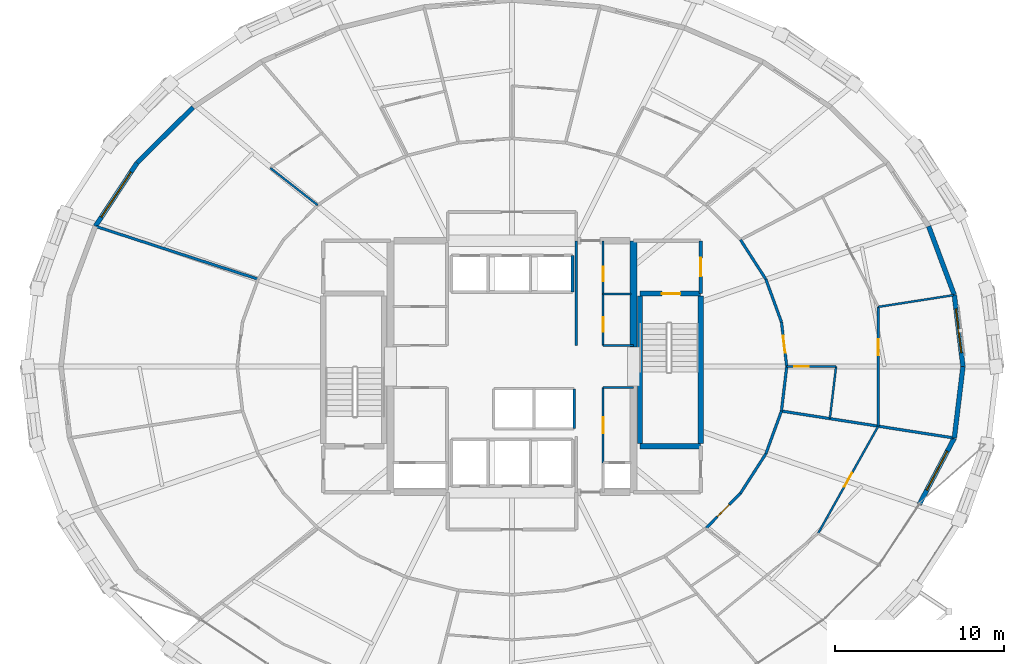
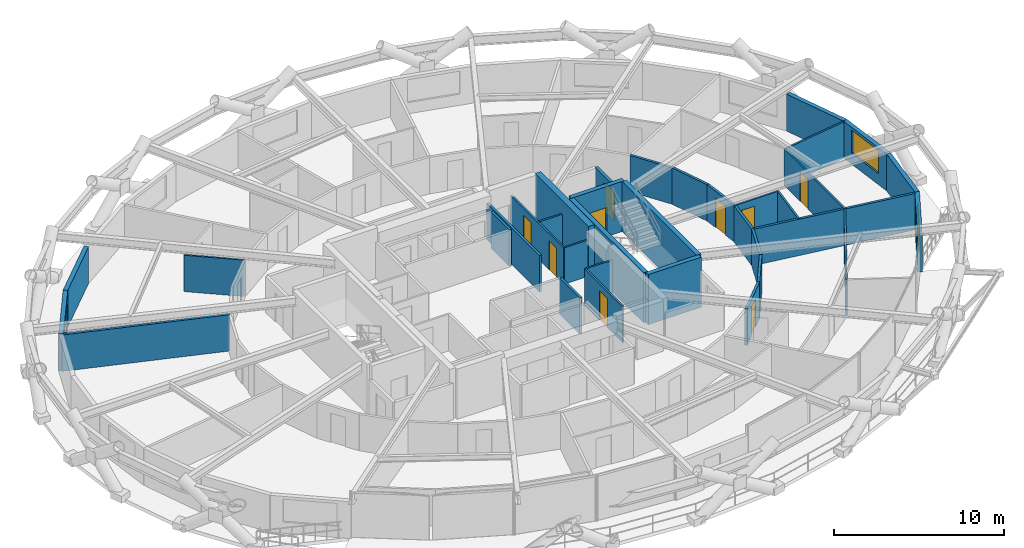
# One storey, part 17 of 21: 35 walls, 10 doors, 3 windows, 13 openings.
"""IFC4 building model written with IfcOpenShell, lengths in metres."""

from ifc_helpers import new_model, si_unit, direction, frame, frame_2d, origin, place, context, subcontext, project, spatial, rectangle, extrude, material, layer, layer_set, type_object, element, fill, save


model = new_model("IFC4")

# Units and contexts
model_context = context("Model", 3, precision=1e-05, world=origin(), true_north=direction((0.0, 1.0)))
body_context = subcontext(model_context, "Body", "Model", "MODEL_VIEW")
ifc_project = project(units=[si_unit("LENGTHUNIT", "METRE"), si_unit("AREAUNIT", "SQUARE_METRE"), si_unit("VOLUMEUNIT", "CUBIC_METRE"), si_unit("PLANEANGLEUNIT", "RADIAN"), si_unit("MASSUNIT", "GRAM", prefix="KILO")], contexts=[model_context])

# Site, building, storey
site_placement = place(None, origin())
site = spatial("IfcSite", under=ifc_project, at=site_placement, CompositionType="ELEMENT")
building_placement = place(site_placement, origin())
building = spatial("IfcBuilding", under=site, at=building_placement, Name="Veldorina Hangang Commons", CompositionType="ELEMENT")
storey_placement = place(building_placement, frame((0.0, 0.0, 59.199951171875)))
storey = spatial("IfcBuildingStorey", under=building, at=storey_placement, Name="L14", CompositionType="ELEMENT", Elevation=59.199951171875)

# Wall
ifc_material_1 = material(Name="Concrete C70/85", Category="concrete")
ifc_layer_1 = layer(ifc_material_1, 0.39990234375)
ifc_layer_set_1 = layer_set([ifc_layer_1], Name="Concrete C70/85")
wall_type_1 = type_object("IfcWallType", Name="CW-RC400-C70", PredefinedType="SHEAR", material=ifc_layer_set_1)
wall_1_placement = place(storey_placement, frame((39.199951171875, 25.14990234375, 0.0), z_axis=(0.0, 0.0, 1.0), x_axis=(0.0, 1.0, 0.0)))
element("IfcWall", 1, at=wall_1_placement, inside=storey, type_object=wall_type_1, Name="L14 E north core shear wall", PredefinedType="SHEAR", context=body_context, shape_type="SweptSolid", body=[
    extrude(rectangle(XDim=6.300048828125, YDim=0.39990234375, at=frame_2d((3.14990234375, 0.0))), origin(), (0.0, 0.0, 1.0), 3.60009765625),
])

# Wall, opening, window
ifc_material_2 = material(Name="Stone Roman Travertine", Category="masonry")
ifc_layer_2 = layer(ifc_material_2, 0.280029296875)
ifc_layer_set_2 = layer_set([ifc_layer_2], Name="Stone Roman Travertine")
wall_type_2 = type_object("IfcWallType", Name="EW-TRAV-280", PredefinedType="STANDARD", material=ifc_layer_set_2)
wall_2_placement = place(storey_placement, frame((58.712646484375, 24.0, 0.0), z_axis=(0.0, 0.0, 1.0), x_axis=(-0.120273268537, 0.992740822609, 0.0)))
wall_2 = element("IfcWall", 2, at=wall_2_placement, inside=storey, type_object=wall_type_2, Name="L14 travertine facade wall 00", PredefinedType="STANDARD", context=body_context, shape_type="SweptSolid", body=[
    extrude(rectangle(XDim=4.266845703125, YDim=0.280029296875, at=frame_2d((2.13330078125, 0.0))), origin(), (0.0, 0.0, 1.0), 2.650146484375),
])
opening_1_placement = place(wall_2_placement, frame((0.83349609375, 0.0, 0.800048828125)))
opening_1 = element("IfcOpeningElement", 3, at=opening_1_placement, cuts=wall_2, Name="Opening W-02", PredefinedType="OPENING", context=body_context, shape_type="SweptSolid", body=[
    extrude(rectangle(XDim=2.60009765625, YDim=1.64990234375, at=frame_2d((1.300048828125, 0.824951171875))), frame((0.0, 0.14990234375, 0.0), z_axis=(0.0, -1.0, 0.0), x_axis=(1.0, 0.0, 0.0)), (0.0, 0.0, 1.0), 0.300048828125),
])
ifc_material_3 = material(Name="Glass Low-E Triple IGU", Category="glass")
window_type_1 = type_object("IfcWindowType", Name="WIN-TWR-2600", PartitioningType="SINGLE_PANEL", PredefinedType="WINDOW", material=ifc_material_3)
window_1_placement = place(opening_1_placement, origin())
window_1 = element("IfcWindow", 4, at=window_1_placement, inside=storey, type_object=window_type_1, Name="L14 facade window 00", OverallHeight=1.64990234375, OverallWidth=2.60009765625, PartitioningType="SINGLE_PANEL", PredefinedType="WINDOW", context=body_context, shape_type="SweptSolid", body=[
    extrude(rectangle(XDim=2.60009765625, YDim=1.64990234375, at=frame_2d((1.300048828125, 0.824951171875))), frame((0.0, 0.030029296875, 0.0), z_axis=(0.0, -1.0, 0.0), x_axis=(1.0, 0.0, 0.0)), (0.0, 0.0, 1.0), 0.06005859375),
])
fill(opening_1, window_1)

# Walls
wall_3_placement = place(storey_placement, frame((58.199462890625, 28.23583984375, 0.0), z_axis=(0.0, 0.0, 1.0), x_axis=(-0.349670708584, 0.93687266774, 0.0)))
element("IfcWall", 5, at=wall_3_placement, inside=storey, type_object=wall_type_2, Name="L14 travertine facade wall 01", PredefinedType="STANDARD", context=body_context, shape_type="SweptSolid", body=[
    extrude(rectangle(XDim=4.34765625, YDim=0.280029296875, at=frame_2d((2.173828125, 0.0))), origin(), (0.0, 0.0, 1.0), 2.650146484375),
])
wall_4_placement = place(storey_placement, frame((13.111328125, 39.353271484375, 0.0), z_axis=(0.0, 0.0, 1.0), x_axis=(-0.710492625766, -0.70370464595, 0.0)))
element("IfcWall", 6, at=wall_4_placement, inside=storey, type_object=wall_type_2, Name="L14 travertine facade wall 12", PredefinedType="STANDARD", context=body_context, shape_type="SweptSolid", body=[
    extrude(rectangle(XDim=4.67578125, YDim=0.280029296875, at=frame_2d((2.337890625, 0.0))), origin(), (0.0, 0.0, 1.0), 2.650146484375),
])

# Wall, opening, window
wall_5_placement = place(storey_placement, frame((9.789306640625, 36.06298828125, 0.0), z_axis=(0.0, 0.0, 1.0), x_axis=(-0.549434846356, -0.835536563898, 0.0)))
wall_5 = element("IfcWall", 7, at=wall_5_placement, inside=storey, type_object=wall_type_2, Name="L14 travertine facade wall 13", PredefinedType="STANDARD", context=body_context, shape_type="SweptSolid", body=[
    extrude(rectangle(XDim=4.492919921875, YDim=0.280029296875, at=frame_2d((2.24658203125, 0.0))), origin(), (0.0, 0.0, 1.0), 2.650146484375),
])
opening_2_placement = place(wall_5_placement, frame((0.646484375, 0.0, 0.800048828125)))
opening_2 = element("IfcOpeningElement", 8, at=opening_2_placement, cuts=wall_5, Name="Opening W-01", PredefinedType="OPENING", context=body_context, shape_type="SweptSolid", body=[
    extrude(rectangle(XDim=3.199951171875, YDim=1.64990234375, at=frame_2d((1.60009765625, 0.824951171875))), frame((0.0, 0.14990234375, 0.0), z_axis=(0.0, -1.0, 0.0), x_axis=(1.0, 0.0, 0.0)), (0.0, 0.0, 1.0), 0.300048828125),
])
window_type_2 = type_object("IfcWindowType", Name="WIN-TWR-3200", PartitioningType="SINGLE_PANEL", PredefinedType="WINDOW", material=ifc_material_3)
window_2_placement = place(opening_2_placement, origin())
window_2 = element("IfcWindow", 9, at=window_2_placement, inside=storey, type_object=window_type_2, Name="L14 facade window 13", OverallHeight=1.64990234375, OverallWidth=3.199951171875, PartitioningType="SINGLE_PANEL", PredefinedType="WINDOW", context=body_context, shape_type="SweptSolid", body=[
    extrude(rectangle(XDim=3.199951171875, YDim=1.64990234375, at=frame_2d((1.60009765625, 0.824951171875))), frame((0.0, 0.030029296875, 0.0), z_axis=(0.0, -1.0, 0.0), x_axis=(1.0, 0.0, 0.0)), (0.0, 0.0, 1.0), 0.06005859375),
])
fill(opening_2, window_2)

wall_6_placement = place(storey_placement, frame((56.118896484375, 15.82373046875, 0.0), z_axis=(0.0, 0.0, 1.0), x_axis=(0.466915739223, 0.884301810733, 0.0)))
wall_6 = element("IfcWall", 10, at=wall_6_placement, inside=storey, type_object=wall_type_2, Name="L14 travertine facade wall 30", PredefinedType="STANDARD", context=body_context, shape_type="SweptSolid", body=[
    extrude(rectangle(XDim=4.4560546875, YDim=0.280029296875, at=frame_2d((2.22802734375, 0.0))), origin(), (0.0, 0.0, 1.0), 2.650146484375),
])
opening_3_placement = place(wall_6_placement, frame((0.973876953125, 0.0, 0.800048828125)))
opening_3 = element("IfcOpeningElement", 11, at=opening_3_placement, cuts=wall_6, Name="Opening W-02", PredefinedType="OPENING", context=body_context, shape_type="SweptSolid", body=[
    extrude(rectangle(XDim=2.60009765625, YDim=1.64990234375, at=frame_2d((1.300048828125, 0.824951171875))), frame((0.0, 0.14990234375, 0.0), z_axis=(0.0, -1.0, 0.0), x_axis=(1.0, 0.0, 0.0)), (0.0, 0.0, 1.0), 0.300048828125),
])
window_3_placement = place(opening_3_placement, origin())
window_3 = element("IfcWindow", 12, at=window_3_placement, inside=storey, type_object=window_type_1, Name="L14 facade window 30", OverallHeight=1.64990234375, OverallWidth=2.60009765625, PartitioningType="SINGLE_PANEL", PredefinedType="WINDOW", context=body_context, shape_type="SweptSolid", body=[
    extrude(rectangle(XDim=2.60009765625, YDim=1.64990234375, at=frame_2d((1.300048828125, 0.824951171875))), frame((0.0, 0.030029296875, 0.0), z_axis=(0.0, -1.0, 0.0), x_axis=(1.0, 0.0, 0.0)), (0.0, 0.0, 1.0), 0.06005859375),
])
fill(opening_3, window_3)

# Walls
wall_7_placement = place(storey_placement, frame((58.199462890625, 19.76416015625, 0.0), z_axis=(0.0, 0.0, 1.0), x_axis=(0.120273268537, 0.992740822609, 0.0)))
element("IfcWall", 13, at=wall_7_placement, inside=storey, type_object=wall_type_2, Name="L14 travertine facade wall 31", PredefinedType="STANDARD", context=body_context, shape_type="SweptSolid", body=[
    extrude(rectangle(XDim=4.266845703125, YDim=0.280029296875, at=frame_2d((2.13330078125, 0.0))), origin(), (0.0, 0.0, 1.0), 2.650146484375),
])
ifc_material_4 = material(Name="Concrete C50/60", Category="concrete")
ifc_layer_3 = layer(ifc_material_4, 0.300048828125)
ifc_layer_set_3 = layer_set([ifc_layer_3], Name="Concrete C50/60")
wall_type_3 = type_object("IfcWallType", Name="SW-STAIR-300", PredefinedType="SHEAR", material=ifc_layer_set_3)
for number, where, z_axis, x_axis, name in (
    (14, (43.179931640625, 19.429931640625, 0.0), (0.0, 0.0, 1.0), (0.0, 1.0, 0.0), "L14 ST2 outer stair shear wall"),
    (15, (39.580078125, 19.429931640625, 0.0), (0.0, 0.0, 1.0), (0.0, 1.0, 0.0), "L14 ST2 inner stair shear wall"),
):
    element("IfcWall", number, at=place(storey_placement, frame(where, z_axis=z_axis, x_axis=x_axis)), inside=storey, type_object=wall_type_3, Name=name, PredefinedType="SHEAR", context=body_context, shape_type="SweptSolid", body=[
        extrude(rectangle(XDim=8.739990234375, YDim=0.300048828125, at=frame_2d((4.3701171875, 0.0))), origin(), (0.0, 0.0, 1.0), 3.60009765625),
    ])
wall_8_placement = place(storey_placement, frame((39.580078125, 19.280029296875, 0.0), z_axis=(0.0, 0.0, 1.0), x_axis=(1.0, 0.0, 0.0)))
element("IfcWall", 16, at=wall_8_placement, inside=storey, type_object=wall_type_3, Name="L14 ST2 south stair shear wall", PredefinedType="SHEAR", context=body_context, shape_type="SweptSolid", body=[
    extrude(rectangle(XDim=3.599853515625, YDim=0.300048828125, at=frame_2d((1.7998046875, 0.0))), origin(), (0.0, 0.0, 1.0), 3.60009765625),
])

# Wall, opening, door
wall_9_placement = place(storey_placement, frame((39.580078125, 28.320068359375, 0.0), z_axis=(0.0, 0.0, 1.0), x_axis=(1.0, 0.0, 0.0)))
wall_9 = element("IfcWall", 17, at=wall_9_placement, inside=storey, type_object=wall_type_3, Name="L14 ST2 north stair shear wall", PredefinedType="SHEAR", context=body_context, shape_type="SweptSolid", body=[
    extrude(rectangle(XDim=3.599853515625, YDim=0.300048828125, at=frame_2d((1.7998046875, 0.0))), origin(), (0.0, 0.0, 1.0), 3.60009765625),
])
opening_4_placement = place(wall_9_placement, frame((1.300048828125, 0.0, 0.0)))
opening_4 = element("IfcOpeningElement", 18, at=opening_4_placement, cuts=wall_9, Name="Opening D-08", PredefinedType="OPENING", context=body_context, shape_type="SweptSolid", body=[
    extrude(rectangle(XDim=1.10009765625, YDim=2.10009765625, at=frame_2d((0.550048828125, 1.050048828125))), frame((0.0, 0.16015625, 0.0), z_axis=(0.0, -1.0, 0.0), x_axis=(1.0, 0.0, 0.0)), (0.0, 0.0, 1.0), 0.320068359375),
])
ifc_material_5 = material(Name="Steel Fire-Rated Smoke Seal", Category="steel")
door_type_1 = type_object("IfcDoorType", Name="DR-FIRE-1100", OperationType="SINGLE_SWING_RIGHT", PredefinedType="DOOR", material=ifc_material_5)
door_1_placement = place(opening_4_placement, origin())
door_1 = element("IfcDoor", 19, at=door_1_placement, inside=storey, type_object=door_type_1, Name="L14 Special Escape Stair ST-2 door", OperationType="SINGLE_SWING_RIGHT", OverallHeight=2.10009765625, OverallWidth=1.10009765625, PredefinedType="DOOR", context=body_context, shape_type="SweptSolid", body=[
    extrude(rectangle(XDim=1.10009765625, YDim=2.10009765625, at=frame_2d((0.550048828125, 1.050048828125))), frame((0.0, 0.02490234375, 0.0), z_axis=(0.0, -1.0, 0.0), x_axis=(1.0, 0.0, 0.0)), (0.0, 0.0, 1.0), 0.050048828125),
])
fill(opening_4, door_1)

# Walls
ifc_material_6 = material(Name="Gypsum Fire-Rated Twin Stud Wall", Category="gypsum")
ifc_layer_4 = layer(ifc_material_6, 0.159912109375)
ifc_layer_set_4 = layer_set([ifc_layer_4], Name="Gypsum Fire-Rated Twin Stud Wall")
wall_type_4 = type_object("IfcWallType", Name="WL-FIRE-160", PredefinedType="SOLIDWALL", material=ifc_layer_set_4)
wall_10_placement = place(storey_placement, frame((35.800048828125, 25.25, 0.0), z_axis=(0.0, 0.0, 1.0), x_axis=(0.0, 1.0, 0.0)))
element("IfcWall", 20, at=wall_10_placement, inside=storey, type_object=wall_type_4, Name="L14 Lift passage NW wall 011", PredefinedType="SOLIDWALL", context=body_context, shape_type="SweptSolid", body=[
    extrude(rectangle(XDim=6.199951171875, YDim=0.159912109375, at=frame_2d((3.10009765625, 0.0))), origin(), (0.0, 0.0, 1.0), 2.610107421875),
])
wall_11_placement = place(storey_placement, frame((35.580078125, 28.419921875, 0.0), z_axis=(0.0, 0.0, 1.0), x_axis=(0.0, 1.0, 0.0)))
element("IfcWall", 21, at=wall_11_placement, inside=storey, type_object=wall_type_4, Name="L14 PL-L3 east shaft wall 020", PredefinedType="SOLIDWALL", context=body_context, shape_type="SweptSolid", body=[
    extrude(rectangle(XDim=2.16015625, YDim=0.159912109375, at=frame_2d((1.080078125, 0.0))), origin(), (0.0, 0.0, 1.0), 2.610107421875),
])
wall_12_placement = place(storey_placement, frame((35.679931640625, 20.320068359375, 0.0), z_axis=(0.0, 0.0, 1.0), x_axis=(0.0, 1.0, 0.0)))
element("IfcWall", 22, at=wall_12_placement, inside=storey, type_object=wall_type_4, Name="L14 SL-2 east shaft wall 025", PredefinedType="SOLIDWALL", context=body_context, shape_type="SweptSolid", body=[
    extrude(rectangle(XDim=2.35986328125, YDim=0.159912109375, at=frame_2d((1.179931640625, 0.0))), origin(), (0.0, 0.0, 1.0), 2.610107421875),
])

# Wall, opening, door
wall_13_placement = place(storey_placement, frame((48.27392578125, 24.0, 0.0), z_axis=(0.0, 0.0, 1.0), x_axis=(-0.117763961213, 0.99304161516, 0.0)))
wall_13 = element("IfcWall", 23, at=wall_13_placement, inside=storey, type_object=wall_type_4, Name="L14 Corridor outer wall 00 047", PredefinedType="SOLIDWALL", context=body_context, shape_type="SweptSolid", body=[
    extrude(rectangle(XDim=2.65576171875, YDim=0.159912109375, at=frame_2d((1.327880859375, 0.0))), origin(), (0.0, 0.0, 1.0), 2.610107421875),
])
opening_5_placement = place(wall_13_placement, frame((0.827880859375, 0.0, 0.0)))
opening_5 = element("IfcOpeningElement", 24, at=opening_5_placement, cuts=wall_13, Name="Opening D-06", PredefinedType="OPENING", context=body_context, shape_type="SweptSolid", body=[
    extrude(rectangle(XDim=1.0, YDim=2.10009765625, at=frame_2d((0.5, 1.050048828125))), frame((0.0, 0.08984375, 0.0), z_axis=(0.0, -1.0, 0.0), x_axis=(1.0, 0.0, 0.0)), (0.0, 0.0, 1.0), 0.179931640625),
])
ifc_material_7 = material(Name="Timber Fire-Rated Entrance Core", Category="wood")
door_type_2 = type_object("IfcDoorType", Name="DR-UNIT-1000", OperationType="SINGLE_SWING_LEFT", PredefinedType="DOOR", material=ifc_material_7)
door_2_placement = place(opening_5_placement, origin())
door_2 = element("IfcDoor", 25, at=door_2_placement, inside=storey, type_object=door_type_2, Name="L14 Cluster 3 entrance door 028", OperationType="SINGLE_SWING_RIGHT", OverallHeight=2.10009765625, OverallWidth=1.0, PredefinedType="DOOR", context=body_context, shape_type="SweptSolid", body=[
    extrude(rectangle(XDim=1.0, YDim=2.10009765625, at=frame_2d((0.5, 1.050048828125))), frame((0.0, 0.02490234375, 0.0), z_axis=(0.0, -1.0, 0.0), x_axis=(1.0, 0.0, 0.0)), (0.0, 0.0, 1.0), 0.050048828125),
])
fill(opening_5, door_2)

# Walls
wall_14_placement = place(storey_placement, frame((47.961181640625, 26.63720703125, 0.0), z_axis=(0.0, 0.0, 1.0), x_axis=(-0.343013437329, 0.939330496583, 0.0)))
element("IfcWall", 26, at=wall_14_placement, inside=storey, type_object=wall_type_4, Name="L14 Corridor outer wall 01 048", PredefinedType="SOLIDWALL", context=body_context, shape_type="SweptSolid", body=[
    extrude(rectangle(XDim=2.69970703125, YDim=0.159912109375, at=frame_2d((1.349853515625, 0.0))), origin(), (0.0, 0.0, 1.0), 2.610107421875),
])
wall_15_placement = place(storey_placement, frame((47.03515625, 29.173095703125, 0.0), z_axis=(0.0, 0.0, 1.0), x_axis=(-0.541126045017, 0.840941498206, 0.0)))
element("IfcWall", 27, at=wall_15_placement, inside=storey, type_object=wall_type_4, Name="L14 Corridor outer wall 02 049", PredefinedType="SOLIDWALL", context=body_context, shape_type="SweptSolid", body=[
    extrude(rectangle(XDim=2.779296875, YDim=0.159912109375, at=frame_2d((1.3896484375, 0.0))), origin(), (0.0, 0.0, 1.0), 2.610107421875),
])

# Wall, opening, door
wall_16_placement = place(storey_placement, frame((43.507568359375, 14.44140625, 0.0), z_axis=(0.0, 0.0, 1.0), x_axis=(0.702811997, 0.711375636969, 0.0)))
wall_16 = element("IfcWall", 28, at=wall_16_placement, inside=storey, type_object=wall_type_4, Name="L14 Corridor outer wall 28 075", PredefinedType="SOLIDWALL", context=body_context, shape_type="SweptSolid", body=[
    extrude(rectangle(XDim=2.87939453125, YDim=0.159912109375, at=frame_2d((1.439697265625, 0.0))), origin(), (0.0, 0.0, 1.0), 2.610107421875),
])
opening_6_placement = place(wall_16_placement, frame((0.939697265625, 0.0, 0.0)))
opening_6 = element("IfcOpeningElement", 29, at=opening_6_placement, cuts=wall_16, Name="Opening D-06", PredefinedType="OPENING", context=body_context, shape_type="SweptSolid", body=[
    extrude(rectangle(XDim=1.0, YDim=2.10009765625, at=frame_2d((0.5, 1.050048828125))), frame((0.0, 0.08984375, 0.0), z_axis=(0.0, -1.0, 0.0), x_axis=(1.0, 0.0, 0.0)), (0.0, 0.0, 1.0), 0.179931640625),
])
door_3_placement = place(opening_6_placement, origin())
door_3 = element("IfcDoor", 30, at=door_3_placement, inside=storey, type_object=door_type_2, Name="L14 Cluster 2 entrance door 024", OperationType="SINGLE_SWING_RIGHT", OverallHeight=2.10009765625, OverallWidth=1.0, PredefinedType="DOOR", context=body_context, shape_type="SweptSolid", body=[
    extrude(rectangle(XDim=1.0, YDim=2.10009765625, at=frame_2d((0.5, 1.050048828125))), frame((0.0, 0.02490234375, 0.0), z_axis=(0.0, -1.0, 0.0), x_axis=(1.0, 0.0, 0.0)), (0.0, 0.0, 1.0), 0.050048828125),
])
fill(opening_6, door_3)

# Walls
wall_17_placement = place(storey_placement, frame((45.53125, 16.48974609375, 0.0), z_axis=(0.0, 0.0, 1.0), x_axis=(0.541126045017, 0.840941498206, 0.0)))
element("IfcWall", 31, at=wall_17_placement, inside=storey, type_object=wall_type_4, Name="L14 Corridor outer wall 29 076", PredefinedType="SOLIDWALL", context=body_context, shape_type="SweptSolid", body=[
    extrude(rectangle(XDim=2.779296875, YDim=0.159912109375, at=frame_2d((1.3896484375, 0.0))), origin(), (0.0, 0.0, 1.0), 2.610107421875),
])
wall_18_placement = place(storey_placement, frame((47.03515625, 18.826904296875, 0.0), z_axis=(0.0, 0.0, 1.0), x_axis=(0.343013437329, 0.939330496583, 0.0)))
element("IfcWall", 32, at=wall_18_placement, inside=storey, type_object=wall_type_4, Name="L14 Corridor outer wall 30 077", PredefinedType="SOLIDWALL", context=body_context, shape_type="SweptSolid", body=[
    extrude(rectangle(XDim=2.69970703125, YDim=0.159912109375, at=frame_2d((1.349853515625, 0.0))), origin(), (0.0, 0.0, 1.0), 2.610107421875),
])
wall_19_placement = place(storey_placement, frame((47.961181640625, 21.36279296875, 0.0), z_axis=(0.0, 0.0, 1.0), x_axis=(0.117763961213, 0.99304161516, 0.0)))
element("IfcWall", 33, at=wall_19_placement, inside=storey, type_object=wall_type_4, Name="L14 Corridor outer wall 31 078", PredefinedType="SOLIDWALL", context=body_context, shape_type="SweptSolid", body=[
    extrude(rectangle(XDim=2.65576171875, YDim=0.159912109375, at=frame_2d((1.327880859375, 0.0))), origin(), (0.0, 0.0, 1.0), 2.610107421875),
])
wall_20_placement = place(storey_placement, frame((47.961181640625, 21.36279296875, 0.0), z_axis=(0.0, 0.0, 1.0), x_axis=(0.988025684157, -0.154289492336, 0.0)))
element("IfcWall", 34, at=wall_20_placement, inside=storey, type_object=wall_type_4, Name="L14 Unit party wall 31 090", PredefinedType="SOLIDWALL", context=body_context, shape_type="SweptSolid", body=[
    extrude(rectangle(XDim=10.312255859375, YDim=0.159912109375, at=frame_2d((5.15625, 0.0))), origin(), (0.0, 0.0, 1.0), 2.610107421875),
])
wall_21_placement = place(storey_placement, frame((16.96484375, 29.173095703125, 0.0), z_axis=(0.0, 0.0, 1.0), x_axis=(-0.950984986604, 0.309237053495, 0.0)))
element("IfcWall", 35, at=wall_21_placement, inside=storey, type_object=wall_type_4, Name="L14 Unit party wall 14 111", PredefinedType="SOLIDWALL", context=body_context, shape_type="SweptSolid", body=[
    extrude(rectangle(XDim=10.09130859375, YDim=0.159912109375, at=frame_2d((5.045654296875, 0.0))), origin(), (0.0, 0.0, 1.0), 2.610107421875),
])

# Wall, opening, door
ifc_material_8 = material(Name="Concrete Blockwork Fire Wall C30/37", Category="masonry")
ifc_layer_5 = layer(ifc_material_8, 0.199951171875)
ifc_layer_set_5 = layer_set([ifc_layer_5], Name="Concrete Blockwork Fire Wall C30/37")
wall_type_5 = type_object("IfcWallType", Name="WL-FIRE-200", PredefinedType="SOLIDWALL", material=ifc_layer_set_5)
wall_22_placement = place(storey_placement, frame((43.179931640625, 28.320068359375, 0.0), z_axis=(0.0, 0.0, 1.0), x_axis=(0.0, 1.0, 0.0)))
wall_22 = element("IfcWall", 36, at=wall_22_placement, inside=storey, type_object=wall_type_5, Name="L14 East vestibule outer wall 003", PredefinedType="SOLIDWALL", context=body_context, shape_type="SweptSolid", body=[
    extrude(rectangle(XDim=3.1298828125, YDim=0.199951171875, at=frame_2d((1.56494140625, 0.0))), origin(), (0.0, 0.0, 1.0), 2.610107421875),
])
opening_7_placement = place(wall_22_placement, frame((1.014892578125, 0.0, 0.0)))
opening_7 = element("IfcOpeningElement", 37, at=opening_7_placement, cuts=wall_22, Name="Opening D-08", PredefinedType="OPENING", context=body_context, shape_type="SweptSolid", body=[
    extrude(rectangle(XDim=1.10009765625, YDim=2.10009765625, at=frame_2d((0.550048828125, 1.050048828125))), frame((0.0, 0.10986328125, 0.0), z_axis=(0.0, -1.0, 0.0), x_axis=(1.0, 0.0, 0.0)), (0.0, 0.0, 1.0), 0.219970703125),
])
door_4_placement = place(opening_7_placement, origin())
door_4 = element("IfcDoor", 38, at=door_4_placement, inside=storey, type_object=door_type_1, Name="L14 East vestibule east door 002", OperationType="SINGLE_SWING_RIGHT", OverallHeight=2.10009765625, OverallWidth=1.10009765625, PredefinedType="DOOR", context=body_context, shape_type="SweptSolid", body=[
    extrude(rectangle(XDim=1.10009765625, YDim=2.10009765625, at=frame_2d((0.550048828125, 1.050048828125))), frame((0.0, 0.02490234375, 0.0), z_axis=(0.0, -1.0, 0.0), x_axis=(1.0, 0.0, 0.0)), (0.0, 0.0, 1.0), 0.050048828125),
])
fill(opening_7, door_4)

# Wall, openings, doors
ifc_material_9 = material(Name="Gypsum Acoustic Stud Partition", Category="gypsum")
ifc_layer_6 = layer(ifc_material_9, 0.1201171875)
ifc_layer_set_6 = layer_set([ifc_layer_6], Name="Gypsum Acoustic Stud Partition")
wall_type_6 = type_object("IfcWallType", Name="WL-PART-120", PredefinedType="PARTITIONING", material=ifc_layer_set_6)
wall_23_placement = place(storey_placement, frame((37.39990234375, 25.25, 0.0), z_axis=(0.0, 0.0, 1.0), x_axis=(0.0, 1.0, 0.0)))
wall_23 = element("IfcWall", 39, at=wall_23_placement, inside=storey, type_object=wall_type_6, Name="L14 NE strip lobby wall 041", PredefinedType="PARTITIONING", context=body_context, shape_type="SweptSolid", body=[
    extrude(rectangle(XDim=6.199951171875, YDim=0.1201171875, at=frame_2d((3.10009765625, 0.0))), origin(), (0.0, 0.0, 1.0), 2.610107421875),
])
opening_8_placement = place(wall_23_placement, frame((0.800048828125, 0.0, 0.0)))
opening_8 = element("IfcOpeningElement", 40, at=opening_8_placement, cuts=wall_23, Name="Opening D-01", PredefinedType="OPENING", context=body_context, shape_type="SweptSolid", body=[
    extrude(rectangle(XDim=0.860107421875, YDim=2.10009765625, at=frame_2d((0.43017578125, 1.050048828125))), frame((0.0, 0.070068359375, 0.0), z_axis=(0.0, -1.0, 0.0), x_axis=(1.0, 0.0, 0.0)), (0.0, 0.0, 1.0), 0.14013671875),
])
opening_9_placement = place(wall_23_placement, frame((3.800048828125, 0.0, 0.0)))
opening_9 = element("IfcOpeningElement", 41, at=opening_9_placement, cuts=wall_23, Name="Opening D-01", PredefinedType="OPENING", context=body_context, shape_type="SweptSolid", body=[
    extrude(rectangle(XDim=0.860107421875, YDim=2.10009765625, at=frame_2d((0.43017578125, 1.050048828125))), frame((0.0, 0.070068359375, 0.0), z_axis=(0.0, -1.0, 0.0), x_axis=(1.0, 0.0, 0.0)), (0.0, 0.0, 1.0), 0.14013671875),
])
ifc_material_10 = material(Name="Timber Moisture-Resistant Core", Category="wood")
door_type_3 = type_object("IfcDoorType", Name="DR-WET-860", OperationType="SINGLE_SWING_LEFT", PredefinedType="DOOR", material=ifc_material_10)
door_5_placement = place(opening_8_placement, origin())
door_5 = element("IfcDoor", 42, at=door_5_placement, inside=storey, type_object=door_type_3, Name="L14 Electrical closet door 018", OperationType="SINGLE_SWING_RIGHT", OverallHeight=2.10009765625, OverallWidth=0.860107421875, PredefinedType="DOOR", context=body_context, shape_type="SweptSolid", body=[
    extrude(rectangle(XDim=0.860107421875, YDim=2.10009765625, at=frame_2d((0.43017578125, 1.050048828125))), frame((0.0, 0.02490234375, 0.0), z_axis=(0.0, -1.0, 0.0), x_axis=(1.0, 0.0, 0.0)), (0.0, 0.0, 1.0), 0.050048828125),
])
fill(opening_8, door_5)
door_6_placement = place(opening_9_placement, origin())
door_6 = element("IfcDoor", 43, at=door_6_placement, inside=storey, type_object=door_type_3, Name="L14 IT closet door 019", OperationType="SINGLE_SWING_LEFT", OverallHeight=2.10009765625, OverallWidth=0.860107421875, PredefinedType="DOOR", context=body_context, shape_type="SweptSolid", body=[
    extrude(rectangle(XDim=0.860107421875, YDim=2.10009765625, at=frame_2d((0.43017578125, 1.050048828125))), frame((0.0, 0.02490234375, 0.0), z_axis=(0.0, -1.0, 0.0), x_axis=(1.0, 0.0, 0.0)), (0.0, 0.0, 1.0), 0.050048828125),
])
fill(opening_9, door_6)

# Wall
wall_24_placement = place(storey_placement, frame((37.39990234375, 25.25, 0.0), z_axis=(0.0, 0.0, 1.0), x_axis=(1.0, 0.0, 0.0)))
element("IfcWall", 44, at=wall_24_placement, inside=storey, type_object=wall_type_6, Name="L14 NE strip south return wall 042", PredefinedType="PARTITIONING", context=body_context, shape_type="SweptSolid", body=[
    extrude(rectangle(XDim=1.800048828125, YDim=0.1201171875, at=frame_2d((0.89990234375, 0.0))), origin(), (0.0, 0.0, 1.0), 2.610107421875),
])

# Wall, opening, door
wall_25_placement = place(storey_placement, frame((37.39990234375, 18.300048828125, 0.0), z_axis=(0.0, 0.0, 1.0), x_axis=(0.0, 1.0, 0.0)))
wall_25 = element("IfcWall", 45, at=wall_25_placement, inside=storey, type_object=wall_type_6, Name="L14 SE strip lobby wall 043", PredefinedType="PARTITIONING", context=body_context, shape_type="SweptSolid", body=[
    extrude(rectangle(XDim=4.449951171875, YDim=0.1201171875, at=frame_2d((2.22509765625, 0.0))), origin(), (0.0, 0.0, 1.0), 2.610107421875),
])
opening_10_placement = place(wall_25_placement, frame((1.75, 0.0, 0.0)))
opening_10 = element("IfcOpeningElement", 46, at=opening_10_placement, cuts=wall_25, Name="Opening D-02", PredefinedType="OPENING", context=body_context, shape_type="SweptSolid", body=[
    extrude(rectangle(XDim=0.949951171875, YDim=2.10009765625, at=frame_2d((0.47509765625, 1.050048828125))), frame((0.0, 0.070068359375, 0.0), z_axis=(0.0, -1.0, 0.0), x_axis=(1.0, 0.0, 0.0)), (0.0, 0.0, 1.0), 0.14013671875),
])
ifc_material_11 = material(Name="Timber Solid Core Acoustic", Category="wood")
door_type_4 = type_object("IfcDoorType", Name="DR-INT-950", OperationType="SINGLE_SWING_LEFT", PredefinedType="DOOR", material=ifc_material_11)
door_7_placement = place(opening_10_placement, origin())
door_7 = element("IfcDoor", 47, at=door_7_placement, inside=storey, type_object=door_type_4, Name="L14 Cleaners supply door 020", OperationType="SINGLE_SWING_RIGHT", OverallHeight=2.10009765625, OverallWidth=0.949951171875, PredefinedType="DOOR", context=body_context, shape_type="SweptSolid", body=[
    extrude(rectangle(XDim=0.949951171875, YDim=2.10009765625, at=frame_2d((0.47509765625, 1.050048828125))), frame((0.0, 0.02490234375, 0.0), z_axis=(0.0, -1.0, 0.0), x_axis=(1.0, 0.0, 0.0)), (0.0, 0.0, 1.0), 0.050048828125),
])
fill(opening_10, door_7)

# Walls
wall_26_placement = place(storey_placement, frame((37.39990234375, 22.75, 0.0), z_axis=(0.0, 0.0, 1.0), x_axis=(1.0, 0.0, 0.0)))
element("IfcWall", 48, at=wall_26_placement, inside=storey, type_object=wall_type_6, Name="L14 SE strip north return wall 044", PredefinedType="PARTITIONING", context=body_context, shape_type="SweptSolid", body=[
    extrude(rectangle(XDim=1.800048828125, YDim=0.1201171875, at=frame_2d((0.89990234375, 0.0))), origin(), (0.0, 0.0, 1.0), 2.610107421875),
])
wall_27_placement = place(storey_placement, frame((37.39990234375, 28.300048828125, 0.0), z_axis=(0.0, 0.0, 1.0), x_axis=(1.0, 0.0, 0.0)))
element("IfcWall", 49, at=wall_27_placement, inside=storey, type_object=wall_type_6, Name="L14 NE mid wall 046", PredefinedType="PARTITIONING", context=body_context, shape_type="SweptSolid", body=[
    extrude(rectangle(XDim=1.650146484375, YDim=0.1201171875, at=frame_2d((0.8251953125, 0.0))), origin(), (0.0, 0.0, 1.0), 2.610107421875),
])

# Wall, opening, door
wall_28_placement = place(storey_placement, frame((50.131103515625, 14.114501953125, 0.0), z_axis=(0.0, 0.0, 1.0), x_axis=(0.489207447667, 0.872167457056, 0.0)))
wall_28 = element("IfcWall", 50, at=wall_28_placement, inside=storey, type_object=wall_type_6, Name="L14 Cluster 2 bed 2 front wall 088", PredefinedType="PARTITIONING", context=body_context, shape_type="SweptSolid", body=[
    extrude(rectangle(XDim=7.2841796875, YDim=0.1201171875, at=frame_2d((3.64208984375, 0.0))), origin(), (0.0, 0.0, 1.0), 2.610107421875),
])
opening_11_placement = place(wall_28_placement, frame((3.1669921875, 0.0, 0.0)))
opening_11 = element("IfcOpeningElement", 51, at=opening_11_placement, cuts=wall_28, Name="Opening D-02", PredefinedType="OPENING", context=body_context, shape_type="SweptSolid", body=[
    extrude(rectangle(XDim=0.949951171875, YDim=2.10009765625, at=frame_2d((0.47509765625, 1.050048828125))), frame((0.0, 0.070068359375, 0.0), z_axis=(0.0, -1.0, 0.0), x_axis=(1.0, 0.0, 0.0)), (0.0, 0.0, 1.0), 0.14013671875),
])
door_8_placement = place(opening_11_placement, origin())
door_8 = element("IfcDoor", 52, at=door_8_placement, inside=storey, type_object=door_type_4, Name="L14 Cluster 2 bed 2 door 026", OperationType="SINGLE_SWING_RIGHT", OverallHeight=2.10009765625, OverallWidth=0.949951171875, PredefinedType="DOOR", context=body_context, shape_type="SweptSolid", body=[
    extrude(rectangle(XDim=0.949951171875, YDim=2.10009765625, at=frame_2d((0.47509765625, 1.050048828125))), frame((0.0, 0.02490234375, 0.0), z_axis=(0.0, -1.0, 0.0), x_axis=(1.0, 0.0, 0.0)), (0.0, 0.0, 1.0), 0.050048828125),
])
fill(opening_11, door_8)

# Wall
wall_29_placement = place(storey_placement, frame((50.827880859375, 20.915283203125, 0.0), z_axis=(0.0, 0.0, 1.0), x_axis=(0.118742368253, 0.992925097871, 0.0)))
element("IfcWall", 53, at=wall_29_placement, inside=storey, type_object=wall_type_6, Name="L14 Cluster 3 bath front wall 091", PredefinedType="PARTITIONING", context=body_context, shape_type="SweptSolid", body=[
    extrude(rectangle(XDim=3.106689453125, YDim=0.1201171875, at=frame_2d((1.55322265625, 0.0))), origin(), (0.0, 0.0, 1.0), 2.610107421875),
])

# Wall, opening, door
wall_30_placement = place(storey_placement, frame((48.27392578125, 24.0, 0.0), z_axis=(0.0, 0.0, 1.0), x_axis=(1.0, 0.0, 0.0)))
wall_30 = element("IfcWall", 54, at=wall_30_placement, inside=storey, type_object=wall_type_6, Name="L14 Cluster 3 bath side wall 092", PredefinedType="PARTITIONING", context=body_context, shape_type="SweptSolid", body=[
    extrude(rectangle(XDim=2.9228515625, YDim=0.1201171875, at=frame_2d((1.46142578125, 0.0))), origin(), (0.0, 0.0, 1.0), 2.610107421875),
])
opening_12_placement = place(wall_30_placement, frame((0.43994140625, 0.0, 0.0)))
opening_12 = element("IfcOpeningElement", 55, at=opening_12_placement, cuts=wall_30, Name="Opening D-01", PredefinedType="OPENING", context=body_context, shape_type="SweptSolid", body=[
    extrude(rectangle(XDim=0.860107421875, YDim=2.10009765625, at=frame_2d((0.43017578125, 1.050048828125))), frame((0.0, 0.070068359375, 0.0), z_axis=(0.0, -1.0, 0.0), x_axis=(1.0, 0.0, 0.0)), (0.0, 0.0, 1.0), 0.14013671875),
])
door_9_placement = place(opening_12_placement, origin())
door_9 = element("IfcDoor", 56, at=door_9_placement, inside=storey, type_object=door_type_3, Name="L14 Cluster 3 shared bathroom door 027", OperationType="SINGLE_SWING_LEFT", OverallHeight=2.10009765625, OverallWidth=0.860107421875, PredefinedType="DOOR", context=body_context, shape_type="SweptSolid", body=[
    extrude(rectangle(XDim=0.860107421875, YDim=2.10009765625, at=frame_2d((0.43017578125, 1.050048828125))), frame((0.0, 0.02490234375, 0.0), z_axis=(0.0, -1.0, 0.0), x_axis=(1.0, 0.0, 0.0)), (0.0, 0.0, 1.0), 0.050048828125),
])
fill(opening_12, door_9)

wall_31_placement = place(storey_placement, frame((53.694580078125, 20.467529296875, 0.0), z_axis=(0.0, 0.0, 1.0), x_axis=(0.0, 1.0, 0.0)))
wall_31 = element("IfcWall", 57, at=wall_31_placement, inside=storey, type_object=wall_type_6, Name="L14 Cluster 3 bed 1 front wall 093", PredefinedType="PARTITIONING", context=body_context, shape_type="SweptSolid", body=[
    extrude(rectangle(XDim=7.06494140625, YDim=0.1201171875, at=frame_2d((3.532470703125, 0.0))), origin(), (0.0, 0.0, 1.0), 2.610107421875),
])
opening_13_placement = place(wall_31_placement, frame((4.209228515625, 0.0, 0.0)))
opening_13 = element("IfcOpeningElement", 58, at=opening_13_placement, cuts=wall_31, Name="Opening D-02", PredefinedType="OPENING", context=body_context, shape_type="SweptSolid", body=[
    extrude(rectangle(XDim=0.949951171875, YDim=2.10009765625, at=frame_2d((0.47509765625, 1.050048828125))), frame((0.0, 0.070068359375, 0.0), z_axis=(0.0, -1.0, 0.0), x_axis=(1.0, 0.0, 0.0)), (0.0, 0.0, 1.0), 0.14013671875),
])
door_10_placement = place(opening_13_placement, origin())
door_10 = element("IfcDoor", 59, at=door_10_placement, inside=storey, type_object=door_type_4, Name="L14 Cluster 3 bed 1 door 029", OperationType="SINGLE_SWING_LEFT", OverallHeight=2.10009765625, OverallWidth=0.949951171875, PredefinedType="DOOR", context=body_context, shape_type="SweptSolid", body=[
    extrude(rectangle(XDim=0.949951171875, YDim=2.10009765625, at=frame_2d((0.47509765625, 1.050048828125))), frame((0.0, 0.02490234375, 0.0), z_axis=(0.0, -1.0, 0.0), x_axis=(1.0, 0.0, 0.0)), (0.0, 0.0, 1.0), 0.050048828125),
])
fill(opening_13, door_10)

# Walls
wall_32_placement = place(storey_placement, frame((53.694580078125, 27.532470703125, 0.0), z_axis=(0.0, 0.0, 1.0), x_axis=(0.988023643712, 0.154302558199, 0.0)))
element("IfcWall", 60, at=wall_32_placement, inside=storey, type_object=wall_type_6, Name="L14 Cluster 3 bed divider 1 095", PredefinedType="PARTITIONING", context=body_context, shape_type="SweptSolid", body=[
    extrude(rectangle(XDim=4.50927734375, YDim=0.1201171875, at=frame_2d((2.254638671875, 0.0))), origin(), (0.0, 0.0, 1.0), 2.610107421875),
])
wall_33_placement = place(storey_placement, frame((20.492431640625, 33.55859375, 0.0), z_axis=(0.0, 0.0, 1.0), x_axis=(-0.786586722527, 0.617479819868, 0.0)))
element("IfcWall", 61, at=wall_33_placement, inside=storey, type_object=wall_type_6, Name="L14 Studio 8 bath side wall 110", PredefinedType="PARTITIONING", context=body_context, shape_type="SweptSolid", body=[
    extrude(rectangle(XDim=3.56591796875, YDim=0.1201171875, at=frame_2d((1.782958984375, 0.0))), origin(), (0.0, 0.0, 1.0), 2.610107421875),
])

save(model, "model.ifc")
